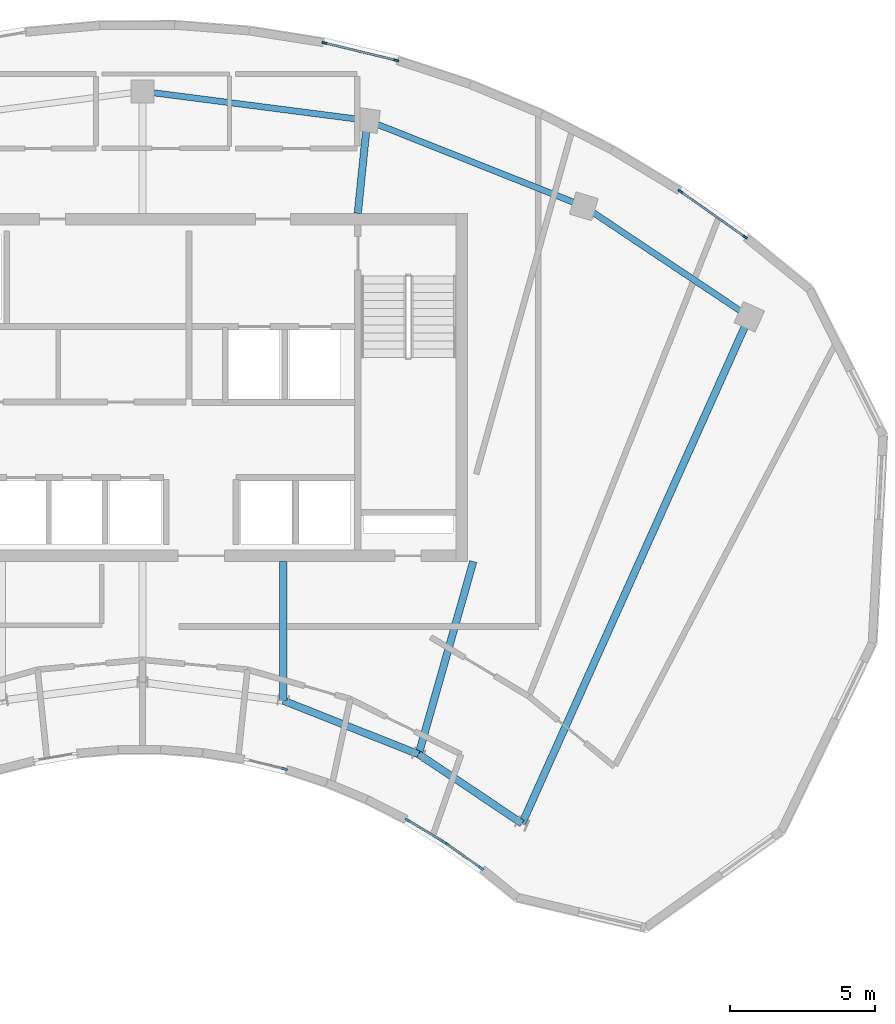
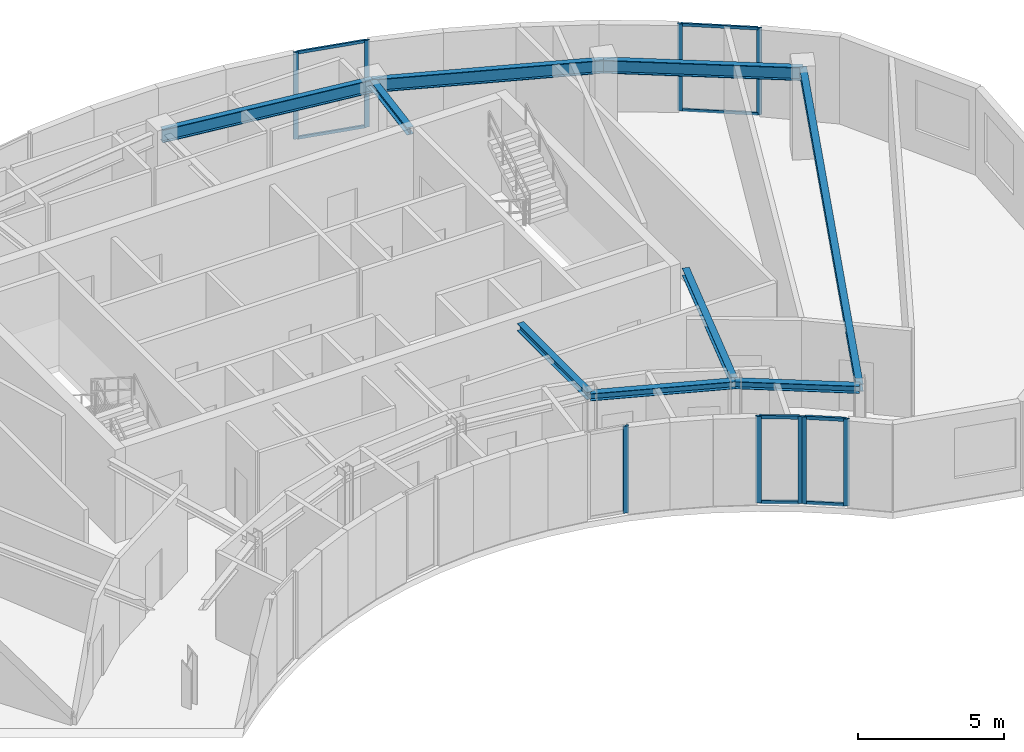
# One storey, part 3 of 9: 17 members, 9 beams, 5 elements without a shape of their own.
"""IFC4 building model written with IfcOpenShell, lengths in metres."""

from ifc_helpers import new_model, si_unit, direction, frame, origin, origin_2d, place, context, subcontext, project, spatial, rectangle, i_section, extrude, source, transform, mapped, material, layer, layer_set, material_profile, profile_set, type_object, element, aggregate, save


model = new_model("IFC4")

# Units and contexts
model_context = context("Model", 3, precision=1e-05, world=origin(), true_north=direction((0.0, 1.0)))
body_context = subcontext(model_context, "Body", "Model", "MODEL_VIEW")
ifc_project = project(units=[si_unit("LENGTHUNIT", "METRE"), si_unit("AREAUNIT", "SQUARE_METRE"), si_unit("VOLUMEUNIT", "CUBIC_METRE"), si_unit("PLANEANGLEUNIT", "RADIAN"), si_unit("MASSUNIT", "GRAM", prefix="KILO")], contexts=[model_context])

# Site, building, storey
site_placement = place(None, origin())
site = spatial("IfcSite", under=ifc_project, at=site_placement, CompositionType="ELEMENT")
building_placement = place(site_placement, origin())
building = spatial("IfcBuilding", under=site, at=building_placement, Name="Breltana Convention Tower", CompositionType="ELEMENT")
storey_placement = place(building_placement, frame((0.0, 0.0, 279.60009765625)))
storey = spatial("IfcBuildingStorey", under=building, at=storey_placement, Name="L68", CompositionType="ELEMENT", Elevation=279.60009765625)

# Beams
ifc_material_1 = material(Name="Steel ASTM A992 Grade 50", Category="steel")
ifc_material_profile_1 = material_profile(ifc_material_1, i_section(OverallWidth=0.214111328125, OverallDepth=0.549072265625, WebThickness=0.0146484375, FlangeThickness=0.023681640625, at=origin_2d()), Name="W21X93")
ifc_profile_set_1 = profile_set([ifc_material_profile_1], Name="Steel ASTM A992 Grade 50")
beam_type_1 = type_object("IfcBeamType", Name="BM-SP-W21X93", PredefinedType="SPANDREL", material=ifc_profile_set_1)
shared_shape_1 = source(origin(), body_context, "Body", "SweptSolid", [
    extrude(i_section(OverallWidth=0.214111328125, OverallDepth=0.549072265625, WebThickness=0.0146484375, FlangeThickness=0.023681640625, at=origin_2d()), origin(), (0.0, 0.0, 1.0), 8.028564453125),
])
beam_1_placement = place(storey_placement, frame((55.746826171875, 75.404296875, 3.365478515625), z_axis=(0.929459100394, -0.368925169507, 0.0), x_axis=(0.368925169507, 0.929459100394, 0.0)))
element("IfcBeam", 1, at=beam_1_placement, inside=storey, type_object=beam_type_1, Name="L68 Outer Spandrel Beam 07", PredefinedType="SPANDREL", context=body_context, shape_type="MappedRepresentation", body=[
    mapped(shared_shape_1, transform((0.0, 0.0, 0.0), scale=1.0)),
])
shared_shape_2 = source(origin(), body_context, "Body", "SweptSolid", [
    extrude(i_section(OverallWidth=0.214111328125, OverallDepth=0.549072265625, WebThickness=0.0146484375, FlangeThickness=0.023681640625, at=origin_2d()), origin(), (0.0, 0.0, 1.0), 7.81103515625),
])
beam_2_placement = place(storey_placement, frame((48.0, 76.404052734375, 3.365478515625), z_axis=(0.991775179127, -0.127992164083, 0.0), x_axis=(0.127992164083, 0.991775179127, 0.0)))
element("IfcBeam", 2, at=beam_2_placement, inside=storey, type_object=beam_type_1, Name="L68 Outer Spandrel Beam 06", PredefinedType="SPANDREL", context=body_context, shape_type="MappedRepresentation", body=[
    mapped(shared_shape_2, transform((0.0, 0.0, 0.0), scale=1.0)),
])
shared_shape_3 = source(origin(), body_context, "Body", "SweptSolid", [
    extrude(i_section(OverallWidth=0.214111328125, OverallDepth=0.549072265625, WebThickness=0.0146484375, FlangeThickness=0.023681640625, at=origin_2d()), origin(), (0.0, 0.0, 1.0), 6.856689453125),
])
beam_3_placement = place(storey_placement, frame((63.208984375, 72.4423828125, 3.365478515625), z_axis=(0.83150210718, -0.55552159792, 0.0), x_axis=(0.55552159792, 0.83150210718, 0.0)))
element("IfcBeam", 3, at=beam_3_placement, inside=storey, type_object=beam_type_1, Name="L68 Outer Spandrel Beam 08", PredefinedType="SPANDREL", context=body_context, shape_type="MappedRepresentation", body=[
    mapped(shared_shape_3, transform((0.0, 0.0, 0.0), scale=1.0)),
])
ifc_material_profile_2 = material_profile(ifc_material_1, i_section(OverallWidth=0.25390625, OverallDepth=0.305908203125, WebThickness=0.0087890625, FlangeThickness=0.0146484375, at=origin_2d()), Name="W12X53")
ifc_profile_set_2 = profile_set([ifc_material_profile_2], Name="Steel ASTM A992 Grade 50")
beam_type_2 = type_object("IfcBeamType", Name="BM-CN-W12X53", PredefinedType="BEAM", material=ifc_profile_set_2)
shared_shape_4 = source(origin(), body_context, "Body", "SweptSolid", [
    extrude(i_section(OverallWidth=0.25390625, OverallDepth=0.305908203125, WebThickness=0.0087890625, FlangeThickness=0.0146484375, at=origin_2d()), origin(), (0.0, 0.0, 1.0), 6.904541015625),
])
beam_4_placement = place(storey_placement, frame((59.39990234375, 60.199951171875, 3.48681640625), z_axis=(-0.273006781054, -0.962012108811, 0.0), x_axis=(0.962012108811, -0.273006781054, 0.0)))
element("IfcBeam", 4, at=beam_4_placement, inside=storey, type_object=beam_type_2, Name="L68 South Core Tie Girder R08", PredefinedType="BEAM", context=body_context, shape_type="MappedRepresentation", body=[
    mapped(shared_shape_4, transform((0.0, 0.0, 0.0), scale=1.0)),
])
shared_shape_5 = source(origin(), body_context, "Body", "SweptSolid", [
    extrude(i_section(OverallWidth=0.25390625, OverallDepth=0.305908203125, WebThickness=0.0087890625, FlangeThickness=0.0146484375, at=origin_2d()), origin(), (0.0, 0.0, 1.0), 4.789306640625),
])
beam_5_placement = place(storey_placement, frame((52.846435546875, 60.199951171875, 3.48681640625), z_axis=(0.0, -1.0, 0.0), x_axis=(1.0, 0.0, 0.0)))
element("IfcBeam", 5, at=beam_5_placement, inside=storey, type_object=beam_type_2, Name="L68 South Core Tie Girder R07", PredefinedType="BEAM", context=body_context, shape_type="MappedRepresentation", body=[
    mapped(shared_shape_5, transform((0.0, 0.0, 0.0), scale=1.0)),
])
shared_shape_6 = source(origin(), body_context, "Body", "SweptSolid", [
    extrude(i_section(OverallWidth=0.25390625, OverallDepth=0.305908203125, WebThickness=0.0087890625, FlangeThickness=0.0146484375, at=origin_2d()), origin(), (0.0, 0.0, 1.0), 3.220947265625),
])
beam_6_placement = place(storey_placement, frame((55.419921875, 72.199951171875, 3.48681640625), z_axis=(0.101492254858, 0.994836329355, 0.0), x_axis=(-0.994836329355, 0.101492254858, 0.0)))
element("IfcBeam", 6, at=beam_6_placement, inside=storey, type_object=beam_type_2, Name="L68 North Core Radial Girder R07", PredefinedType="BEAM", context=body_context, shape_type="MappedRepresentation", body=[
    mapped(shared_shape_6, transform((0.0, 0.0, 0.0), scale=1.0)),
])
shared_shape_7 = source(origin(), body_context, "Body", "SweptSolid", [
    extrude(i_section(OverallWidth=0.25390625, OverallDepth=0.305908203125, WebThickness=0.0087890625, FlangeThickness=0.0146484375, at=origin_2d()), origin(), (0.0, 0.0, 1.0), 19.133544921875),
])
beam_7_placement = place(storey_placement, frame((61.08203125, 51.174560546875, 3.48681640625), z_axis=(0.409144564164, 0.912469575172, 0.0), x_axis=(-0.912469575172, 0.409144564164, 0.0)))
element("IfcBeam", 7, at=beam_7_placement, inside=storey, type_object=beam_type_2, Name="L68 Radial Floor Girder R09", PredefinedType="BEAM", context=body_context, shape_type="MappedRepresentation", body=[
    mapped(shared_shape_7, transform((0.0, 0.0, 0.0), scale=1.0)),
])
shared_shape_8 = source(origin(), body_context, "Body", "SweptSolid", [
    extrude(i_section(OverallWidth=0.25390625, OverallDepth=0.305908203125, WebThickness=0.0087890625, FlangeThickness=0.0146484375, at=origin_2d()), origin(), (0.0, 0.0, 1.0), 5.022705078125),
])
beam_8_placement = place(storey_placement, frame((52.846435546875, 55.41064453125, 3.48681640625), z_axis=(0.929458966248, -0.368925507469, 0.0), x_axis=(0.368925507469, 0.929458966248, 0.0)))
element("IfcBeam", 8, at=beam_8_placement, inside=storey, type_object=beam_type_2, Name="L68 Inner Ring Beam 07", PredefinedType="BEAM", context=body_context, shape_type="MappedRepresentation", body=[
    mapped(shared_shape_8, transform((0.0, 0.0, 0.0), scale=1.0)),
])
shared_shape_9 = source(origin(), body_context, "Body", "SweptSolid", [
    extrude(i_section(OverallWidth=0.25390625, OverallDepth=0.305908203125, WebThickness=0.0087890625, FlangeThickness=0.0146484375, at=origin_2d()), origin(), (0.0, 0.0, 1.0), 4.2900390625),
])
beam_9_placement = place(storey_placement, frame((57.514892578125, 53.5576171875, 3.48681640625), z_axis=(0.831515827753, -0.555501060482, 0.0), x_axis=(0.555501060482, 0.831515827753, 0.0)))
element("IfcBeam", 9, at=beam_9_placement, inside=storey, type_object=beam_type_2, Name="L68 Inner Ring Beam 08", PredefinedType="BEAM", context=body_context, shape_type="MappedRepresentation", body=[
    mapped(shared_shape_9, transform((0.0, 0.0, 0.0), scale=1.0)),
])

# Curtain wall, members
ifc_material_2 = material(Name="Aluminium Anodised Bronze Frame", Category="aluminium")
ifc_layer_1 = layer(ifc_material_2, 0.18994140625, Name="Aluminium Anodised Bronze Frame")
ifc_layer_set_1 = layer_set([ifc_layer_1], Name="Aluminium Anodised Bronze Frame")
curtain_wall_type_1 = type_object("IfcCurtainWallType", Name="CW-SYS-1", PredefinedType="NOTDEFINED", material=ifc_layer_set_1)
curtain_wall_1_placement = place(storey_placement, origin())
curtain_wall_1 = element("IfcCurtainWall", 10, at=curtain_wall_1_placement, inside=storey, type_object=curtain_wall_type_1, Name="L68 inner south-court glazing 1", PredefinedType="NOTDEFINED")
ifc_material_3 = material(Name="Aluminium Anodised Bronze", Category="aluminium")
ifc_material_profile_3 = material_profile(ifc_material_3, rectangle(XDim=0.080078125, YDim=0.199951171875, at=origin_2d()), Name="CWM-80X200")
ifc_profile_set_3 = profile_set([ifc_material_profile_3], Name="Aluminium Anodised Bronze")
member_type_1 = type_object("IfcMemberType", Name="CWM-200", PredefinedType="MULLION", material=ifc_profile_set_3)
shared_shape_10 = source(origin(), body_context, "Body", "SweptSolid", [
    extrude(rectangle(XDim=0.080078125, YDim=0.199951171875, at=origin_2d()), origin(), (0.0, 0.0, 1.0), 3.639892578125),
])
member_1_placement = place(storey_placement, frame((59.667724609375, 49.635986328125, 0.0), z_axis=(0.0, 0.0, 1.0), x_axis=(-0.576173895534, -0.817327132857, 0.0)))
member_1 = element("IfcMember", 11, at=member_1_placement, type_object=member_type_1, Name="CW-01 mullion 1", PredefinedType="MULLION", context=body_context, shape_type="MappedRepresentation", body=[
    mapped(shared_shape_10, transform((0.0, 0.0, 0.0), scale=1.0)),
])
member_2_placement = place(storey_placement, frame((58.4599609375, 50.4873046875, 0.0), z_axis=(0.0, 0.0, 1.0), x_axis=(-0.576173895534, -0.817327132857, 0.0)))
member_2 = element("IfcMember", 12, at=member_2_placement, type_object=member_type_1, Name="CW-01 mullion 2", PredefinedType="MULLION", context=body_context, shape_type="MappedRepresentation", body=[
    mapped(shared_shape_10, transform((0.0, 0.0, 0.0), scale=1.0)),
])

curtain_wall_2_placement = place(storey_placement, origin())
curtain_wall_2 = element("IfcCurtainWall", 13, at=curtain_wall_2_placement, inside=storey, type_object=curtain_wall_type_1, Name="L68 inner south-court glazing 2", PredefinedType="NOTDEFINED")
member_3_placement = place(storey_placement, frame((58.38232421875, 50.5380859375, 0.0), z_axis=(0.0, 0.0, 1.0), x_axis=(-0.516826673654, -0.856090059164, 0.0)))
member_3 = element("IfcMember", 14, at=member_3_placement, type_object=member_type_1, Name="CW-01 mullion 1", PredefinedType="MULLION", context=body_context, shape_type="MappedRepresentation", body=[
    mapped(shared_shape_10, transform((0.0, 0.0, 0.0), scale=1.0)),
])
member_4_placement = place(storey_placement, frame((57.139404296875, 51.288330078125, 0.0), z_axis=(0.0, 0.0, 1.0), x_axis=(-0.516826673654, -0.856090059164, 0.0)))
member_4 = element("IfcMember", 15, at=member_4_placement, type_object=member_type_1, Name="CW-01 mullion 2", PredefinedType="MULLION", context=body_context, shape_type="MappedRepresentation", body=[
    mapped(shared_shape_10, transform((0.0, 0.0, 0.0), scale=1.0)),
])

# Curtain wall, member
curtain_wall_3_placement = place(storey_placement, origin())
curtain_wall_3 = element("IfcCurtainWall", 16, at=curtain_wall_3_placement, inside=storey, type_object=curtain_wall_type_1, Name="L68 inner south-court glazing 3", PredefinedType="NOTDEFINED")
member_5_placement = place(storey_placement, frame((52.89990234375, 53.0517578125, 0.0), z_axis=(0.0, 0.0, 1.0), x_axis=(-0.235517485062, -0.97187011181, 0.0)))
member_5 = element("IfcMember", 17, at=member_5_placement, type_object=member_type_1, Name="CW-01 mullion 1", PredefinedType="MULLION", context=body_context, shape_type="MappedRepresentation", body=[
    mapped(shared_shape_10, transform((0.0, 0.0, 0.0), scale=1.0)),
])
aggregate(curtain_wall_3, [member_5])

# Curtain wall, members
ifc_layer_2 = layer(ifc_material_2, 0.22998046875, Name="Aluminium Anodised Bronze Frame")
ifc_layer_set_2 = layer_set([ifc_layer_2], Name="Aluminium Anodised Bronze Frame")
curtain_wall_type_2 = type_object("IfcCurtainWallType", Name="CW-SYS-5", PredefinedType="NOTDEFINED", material=ifc_layer_set_2)
curtain_wall_4_placement = place(storey_placement, origin())
curtain_wall_4 = element("IfcCurtainWall", 18, at=curtain_wall_4_placement, inside=storey, type_object=curtain_wall_type_2, Name="L68 outer double-skin inner glazing 4", PredefinedType="NOTDEFINED")
ifc_material_profile_4 = material_profile(ifc_material_3, rectangle(XDim=0.070068359375, YDim=0.175048828125, at=origin_2d()), Name="CWM-70X175")
ifc_profile_set_4 = profile_set([ifc_material_profile_4], Name="Aluminium Anodised Bronze")
member_type_2 = type_object("IfcMemberType", Name="CWM-175", PredefinedType="MULLION", material=ifc_profile_set_4)
shared_shape_11 = source(origin(), body_context, "Body", "SweptSolid", [
    extrude(rectangle(XDim=0.070068359375, YDim=0.175048828125, at=origin_2d()), origin(), (0.0, 0.0, 1.0), 3.639892578125),
])
member_6_placement = place(storey_placement, frame((54.273193359375, 78.0732421875, 0.0), z_axis=(0.0, 0.0, 1.0), x_axis=(0.235517807109, 0.971870033767, 0.0)))
member_6 = element("IfcMember", 19, at=member_6_placement, type_object=member_type_2, Name="CW-05 mullion 1", PredefinedType="MULLION", context=body_context, shape_type="MappedRepresentation", body=[
    mapped(shared_shape_11, transform((0.0, 0.0, 0.0), scale=1.0)),
])
member_7_placement = place(storey_placement, frame((56.74267578125, 77.474853515625, 0.0), z_axis=(0.0, 0.0, 1.0), x_axis=(0.235517807109, 0.971870033767, 0.0)))
member_7 = element("IfcMember", 20, at=member_7_placement, type_object=member_type_2, Name="CW-05 mullion 2", PredefinedType="MULLION", context=body_context, shape_type="MappedRepresentation", body=[
    mapped(shared_shape_11, transform((0.0, 0.0, 0.0), scale=1.0)),
])

curtain_wall_5_placement = place(storey_placement, origin())
curtain_wall_5 = element("IfcCurtainWall", 21, at=curtain_wall_5_placement, inside=storey, type_object=curtain_wall_type_2, Name="L68 outer double-skin inner glazing 5", PredefinedType="NOTDEFINED")
member_8_placement = place(storey_placement, frame((66.5390625, 72.955078125, 0.0), z_axis=(0.0, 0.0, 1.0), x_axis=(0.576234994683, 0.817284057658, 0.0)))
member_8 = element("IfcMember", 22, at=member_8_placement, type_object=member_type_2, Name="CW-05 mullion 1", PredefinedType="MULLION", context=body_context, shape_type="MappedRepresentation", body=[
    mapped(shared_shape_11, transform((0.0, 0.0, 0.0), scale=1.0)),
])
member_9_placement = place(storey_placement, frame((68.76611328125, 71.385009765625, 0.0), z_axis=(0.0, 0.0, 1.0), x_axis=(0.576234994683, 0.817284057658, 0.0)))
member_9 = element("IfcMember", 23, at=member_9_placement, type_object=member_type_2, Name="CW-05 mullion 2", PredefinedType="MULLION", context=body_context, shape_type="MappedRepresentation", body=[
    mapped(shared_shape_11, transform((0.0, 0.0, 0.0), scale=1.0)),
])

# Member
ifc_material_profile_5 = material_profile(ifc_material_3, rectangle(XDim=0.080078125, YDim=0.139892578125, at=origin_2d()), Name="CWT-80X140")
ifc_profile_set_5 = profile_set([ifc_material_profile_5], Name="Aluminium Anodised Bronze")
member_type_3 = type_object("IfcMemberType", Name="CWT-140", PredefinedType="USERDEFINED", material=ifc_profile_set_5)
shared_shape_12 = source(origin(), body_context, "Body", "SweptSolid", [
    extrude(rectangle(XDim=0.080078125, YDim=0.139892578125, at=origin_2d()), origin(), (0.0, 0.0, 1.0), 1.3974609375),
])
member_10_placement = place(storey_placement, frame((59.635009765625, 49.658935546875, 0.039794921875), z_axis=(-0.817364650956, 0.576120670838, 0.0), x_axis=(-0.576120670838, -0.817364650956, 0.0)))
member_10 = element("IfcMember", 24, at=member_10_placement, type_object=member_type_3, Name="CW-01 transom 1.1", ObjectType="TRANSOM", PredefinedType="USERDEFINED", context=body_context, shape_type="MappedRepresentation", body=[
    mapped(shared_shape_12, transform((0.0, 0.0, 0.0), scale=1.0)),
])

member_11_placement = place(storey_placement, frame((59.635009765625, 49.658935546875, 3.599853515625), z_axis=(-0.817364650956, 0.576120670838, 0.0), x_axis=(-0.576120670838, -0.817364650956, 0.0)))
member_11 = element("IfcMember", 25, at=member_11_placement, type_object=member_type_3, Name="CW-01 transom 1.2", ObjectType="TRANSOM", PredefinedType="USERDEFINED", context=body_context, shape_type="MappedRepresentation", body=[
    mapped(shared_shape_12, transform((0.0, 0.0, 0.0), scale=1.0)),
])

aggregate(curtain_wall_1, [member_1, member_2, member_10, member_11])

shared_shape_13 = source(origin(), body_context, "Body", "SweptSolid", [
    extrude(rectangle(XDim=0.080078125, YDim=0.139892578125, at=origin_2d()), origin(), (0.0, 0.0, 1.0), 1.3720703125),
])
member_12_placement = place(storey_placement, frame((58.34814453125, 50.55859375, 0.039794921875), z_axis=(-0.856123865056, 0.516770672235, 0.0), x_axis=(-0.516770672235, -0.856123865056, 0.0)))
member_12 = element("IfcMember", 26, at=member_12_placement, type_object=member_type_3, Name="CW-01 transom 1.1", ObjectType="TRANSOM", PredefinedType="USERDEFINED", context=body_context, shape_type="MappedRepresentation", body=[
    mapped(shared_shape_13, transform((0.0, 0.0, 0.0), scale=1.0)),
])

member_13_placement = place(storey_placement, frame((58.34814453125, 50.55859375, 3.599853515625), z_axis=(-0.856123865056, 0.516770672235, 0.0), x_axis=(-0.516770672235, -0.856123865056, 0.0)))
member_13 = element("IfcMember", 27, at=member_13_placement, type_object=member_type_3, Name="CW-01 transom 1.2", ObjectType="TRANSOM", PredefinedType="USERDEFINED", context=body_context, shape_type="MappedRepresentation", body=[
    mapped(shared_shape_13, transform((0.0, 0.0, 0.0), scale=1.0)),
])

aggregate(curtain_wall_2, [member_3, member_4, member_12, member_13])

ifc_material_profile_6 = material_profile(ifc_material_3, rectangle(XDim=0.070068359375, YDim=0.1201171875, at=origin_2d()), Name="CWT-70X120")
ifc_profile_set_6 = profile_set([ifc_material_profile_6], Name="Aluminium Anodised Bronze")
member_type_4 = type_object("IfcMemberType", Name="CWT-120", PredefinedType="USERDEFINED", material=ifc_profile_set_6)
shared_shape_14 = source(origin(), body_context, "Body", "SweptSolid", [
    extrude(rectangle(XDim=0.070068359375, YDim=0.1201171875, at=origin_2d()), origin(), (0.0, 0.0, 1.0), 2.470947265625),
])
member_14_placement = place(storey_placement, frame((54.30712890625, 78.065185546875, 0.034912109375), z_axis=(0.971861073618, -0.235554778315, 0.0), x_axis=(0.235554778315, 0.971861073618, 0.0)))
member_14 = element("IfcMember", 28, at=member_14_placement, type_object=member_type_4, Name="CW-05 transom 1.1", ObjectType="TRANSOM", PredefinedType="USERDEFINED", context=body_context, shape_type="MappedRepresentation", body=[
    mapped(shared_shape_14, transform((0.0, 0.0, 0.0), scale=1.0)),
])

member_15_placement = place(storey_placement, frame((54.30712890625, 78.065185546875, 3.60498046875), z_axis=(0.971861073618, -0.235554778315, 0.0), x_axis=(0.235554778315, 0.971861073618, 0.0)))
member_15 = element("IfcMember", 29, at=member_15_placement, type_object=member_type_4, Name="CW-05 transom 1.2", ObjectType="TRANSOM", PredefinedType="USERDEFINED", context=body_context, shape_type="MappedRepresentation", body=[
    mapped(shared_shape_14, transform((0.0, 0.0, 0.0), scale=1.0)),
])

aggregate(curtain_wall_4, [member_6, member_7, member_14, member_15])

shared_shape_15 = source(origin(), body_context, "Body", "SweptSolid", [
    extrude(rectangle(XDim=0.070068359375, YDim=0.1201171875, at=origin_2d()), origin(), (0.0, 0.0, 1.0), 2.65478515625),
])
member_16_placement = place(storey_placement, frame((66.567626953125, 72.93505859375, 0.034912109375), z_axis=(0.817235368234, -0.576304045541, 0.0), x_axis=(0.576304045541, 0.817235368234, 0.0)))
member_16 = element("IfcMember", 30, at=member_16_placement, type_object=member_type_4, Name="CW-05 transom 1.1", ObjectType="TRANSOM", PredefinedType="USERDEFINED", context=body_context, shape_type="MappedRepresentation", body=[
    mapped(shared_shape_15, transform((0.0, 0.0, 0.0), scale=1.0)),
])

member_17_placement = place(storey_placement, frame((66.567626953125, 72.93505859375, 3.60498046875), z_axis=(0.817235368234, -0.576304045541, 0.0), x_axis=(0.576304045541, 0.817235368234, 0.0)))
member_17 = element("IfcMember", 31, at=member_17_placement, type_object=member_type_4, Name="CW-05 transom 1.2", ObjectType="TRANSOM", PredefinedType="USERDEFINED", context=body_context, shape_type="MappedRepresentation", body=[
    mapped(shared_shape_15, transform((0.0, 0.0, 0.0), scale=1.0)),
])

aggregate(curtain_wall_5, [member_8, member_9, member_16, member_17])

save(model, "model.ifc")
